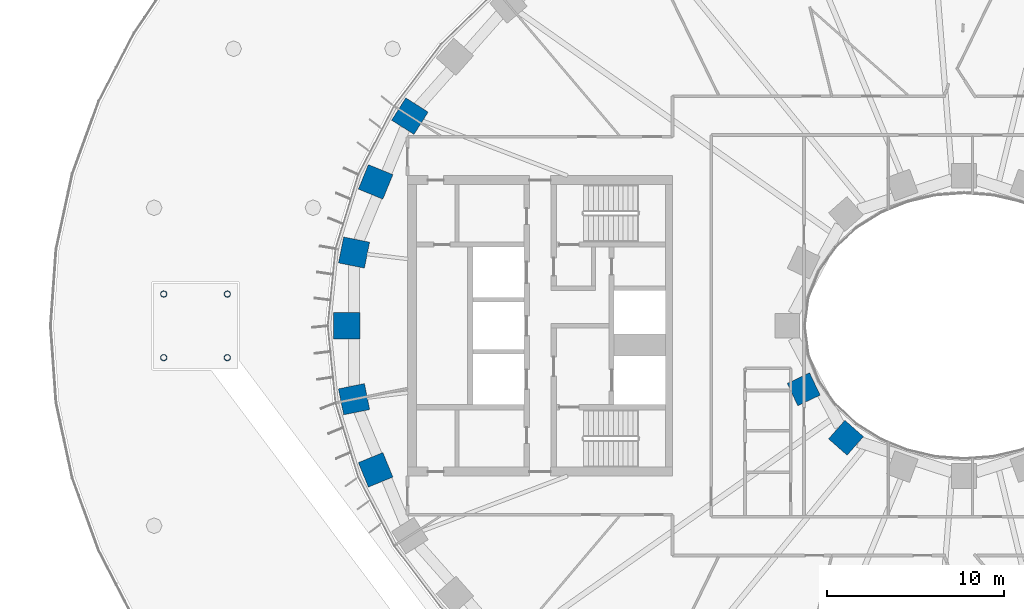
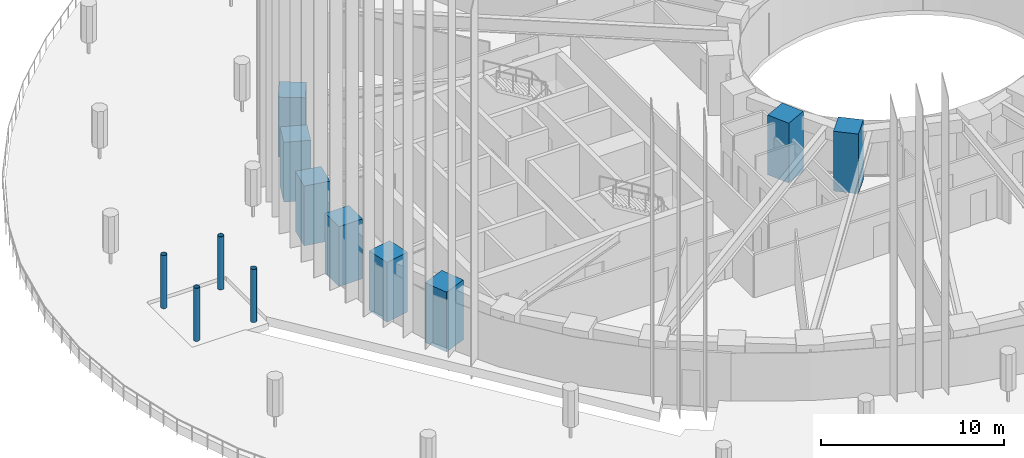
# One storey, part 2 of 30: 12 columns.
"""IFC4 building model written with IfcOpenShell, lengths in metres."""

import ifcopenshell
import ifcopenshell.guid

model = None  # the IFC model being written
_history = None  # IfcOwnerHistory: only IFC2X3 demands one
_inside = {}  # id of a spatial element -> (the spatial element, [elements in it])
_under = {}  # id of a project, library or spatial element -> (it, [spatial elements below it])
_declared = {}  # id of a project -> (the project, [libraries it declares])
_typed = {}  # id of a type object -> (the type object, [elements of that type])
_made_of = {}  # id of a material, layer set ... -> (it, [elements and type objects made of it])


def new_model(schema):
    """Start an empty IFC model of exactly this schema.

    Asked for "IFC4X3", IfcOpenShell would pick the latest addendum, in which some entities
    have other attributes; the version numbers below select the first issue.
    IFC2X3 requires an IfcOwnerHistory on every rooted entity: one is made here for all.
    """
    global model, _history
    if schema == "IFC4X3":
        model = ifcopenshell.file(schema_version=(4, 3, 0, 0))
    else:
        model = ifcopenshell.file(schema=schema)
    _inside.clear()
    _under.clear()
    _declared.clear()
    _typed.clear()
    _made_of.clear()
    _history = None
    if model.schema == "IFC2X3":
        org = make("IfcOrganization", Name="unknown")
        user = make(
            "IfcPersonAndOrganization",
            ThePerson=make("IfcPerson", FamilyName="unknown"),
            TheOrganization=org,
        )
        app = make(
            "IfcApplication",
            ApplicationDeveloper=org,
            Version="unknown",
            ApplicationFullName="unknown",
            ApplicationIdentifier="unknown",
        )
        _history = make(
            "IfcOwnerHistory",
            OwningUser=user,
            OwningApplication=app,
            ChangeAction="ADDED",
            CreationDate=0,
        )
    return model


def make(cls, **values):
    """One entity of the class cls with the attributes given. An attribute that is None is left unset."""
    return model.create_entity(
        cls, **{name: value for name, value in values.items() if value is not None}
    )


def rooted(cls, **values):
    """An entity with a GlobalId (a new one), such as an element, a storey or a relation."""
    return make(cls, GlobalId=ifcopenshell.guid.new(), OwnerHistory=_history, **values)


def si_unit(unit_type, name, prefix=None):
    """IfcSIUnit, for example si_unit("LENGTHUNIT", "METRE", prefix="MILLI")."""
    return make("IfcSIUnit", UnitType=unit_type, Prefix=prefix, Name=name)


def assignment(units):
    """IfcUnitAssignment: the units of a project."""
    return None if units is None else make("IfcUnitAssignment", Units=units)


def point(xyz):
    """IfcCartesianPoint."""
    return None if xyz is None else make("IfcCartesianPoint", Coordinates=xyz)


def direction(xyz):
    """IfcDirection."""
    return None if xyz is None else make("IfcDirection", DirectionRatios=xyz)


def frame(location, z_axis=None, x_axis=None):
    """IfcAxis2Placement3D, a coordinate frame: its origin and axes. An axis left out is left unset."""
    return make(
        "IfcAxis2Placement3D",
        Location=point(location),
        Axis=direction(z_axis),
        RefDirection=direction(x_axis),
    )


def frame_2d(location, x_axis=None):
    """IfcAxis2Placement2D, a coordinate frame in the plane: its origin and x axis."""
    return make(
        "IfcAxis2Placement2D", Location=point(location), RefDirection=direction(x_axis)
    )


def origin():
    """The frame at (0, 0, 0) with its axes left unset."""
    return frame((0.0, 0.0, 0.0))


def origin_2d():
    """The frame at (0, 0) in the plane with its x axis left unset."""
    return frame_2d((0.0, 0.0))


def place(relative_to, where):
    """IfcLocalPlacement: puts the frame where relative to a parent placement (None: the world)."""
    return make(
        "IfcLocalPlacement", PlacementRelTo=relative_to, RelativePlacement=where
    )


def context(
    kind, dimensions, precision=None, world=None, true_north=None, identifier=None
):
    """IfcGeometricRepresentationContext, for example the 3D "Model" context."""
    return make(
        "IfcGeometricRepresentationContext",
        ContextIdentifier=identifier,
        ContextType=kind,
        CoordinateSpaceDimension=dimensions,
        Precision=precision,
        WorldCoordinateSystem=world,
        TrueNorth=true_north,
    )


def subcontext(parent, identifier, kind, view, scale=None):
    """IfcGeometricRepresentationSubContext, for example "Body" below "Model"."""
    return make(
        "IfcGeometricRepresentationSubContext",
        ContextIdentifier=identifier,
        ContextType=kind,
        ParentContext=parent,
        TargetScale=scale,
        TargetView=view,
    )


def project(units=None, contexts=None):
    """IfcProject with its units and contexts."""
    return rooted(
        "IfcProject",
        Name="project",
        RepresentationContexts=contexts,
        UnitsInContext=assignment(units),
    )


def spatial(cls, under=None, at=None, **own):
    """A site, building, storey or space (cls), placed at a placement, below another one or the project."""
    s = rooted(cls, ObjectPlacement=at, **own)
    if under is not None:
        _under.setdefault(under.id(), (under, []))[1].append(s)
    return s


def profile(cls, at=None, kind="AREA", **sizes):
    """A parametric profile (cls). Its sizes go by their IFC names, for example OverallWidth=200.0."""
    return make(cls, ProfileType=kind, Position=at, **sizes)


def rectangle(**sizes):
    """IfcRectangleProfileDef."""
    return profile("IfcRectangleProfileDef", **sizes)


def hollow_circle(**sizes):
    """IfcCircleHollowProfileDef."""
    return profile("IfcCircleHollowProfileDef", **sizes)


def extrude(swept, where, along, depth):
    """IfcExtrudedAreaSolid: the profile swept, set in the frame where, extruded along a direction by depth."""
    return make(
        "IfcExtrudedAreaSolid",
        SweptArea=swept,
        Position=where,
        ExtrudedDirection=direction(along),
        Depth=depth,
    )


def shape(context_of_items, identifier, shape_type, items):
    """IfcShapeRepresentation: the items that make up one representation, for example the "Body"."""
    return make(
        "IfcShapeRepresentation",
        ContextOfItems=context_of_items,
        RepresentationIdentifier=identifier,
        RepresentationType=shape_type,
        Items=items,
    )


def material(Name=None, Category=None):
    """IfcMaterial."""
    return make("IfcMaterial", Name=Name, Category=Category)


def material_profile(
    of_material, cross_section, Name=None, Category=None, Priority=None
):
    """IfcMaterialProfile: a cross section and its material."""
    return make(
        "IfcMaterialProfile",
        Name=Name,
        Material=of_material,
        Profile=cross_section,
        Priority=Priority,
        Category=Category,
    )


def profile_set(profiles, Name=None, composite=None):
    """IfcMaterialProfileSet."""
    return make(
        "IfcMaterialProfileSet",
        Name=Name,
        MaterialProfiles=profiles,
        CompositeProfile=composite,
    )


def made_of(thing, what):
    """Note that an element or type object is made of a material, layer set ...; save() writes the relation."""
    if what is not None:
        _made_of.setdefault(what.id(), (what, []))[1].append(thing)
    return thing


def type_object(cls, material=None, **own):
    """A type object (cls), such as IfcWallType, which elements share."""
    return made_of(rooted(cls, **own), material)


def element(
    cls,
    number,
    at=None,
    inside=None,
    cuts=None,
    type_object=None,
    material=None,
    context=None,
    identifier="Body",
    shape_type=None,
    held_by="IfcProductDefinitionShape",
    body=None,
    shapes=None,
    **own,
):
    """One element of the class cls, such as IfcWall. Its Tag is "e" and its number.

    at: its placement. inside: the storey or other place that contains it. cuts: it is an
    opening in that element (IfcRelVoidsElement). A single representation is given by context,
    identifier, shape_type and body (its items); several are given by shapes. held_by: the class
    of the entity that holds the representations. save() writes the other relations.
    """
    e = rooted(cls, Tag="e%d" % number, ObjectPlacement=at, **own)
    if body is not None:
        shapes = [shape(context, identifier, shape_type, body)]
    if shapes is not None:
        e.Representation = make(held_by, Representations=shapes)
    if inside is not None:
        _inside.setdefault(inside.id(), (inside, []))[1].append(e)
    if cuts is not None:
        rooted(
            "IfcRelVoidsElement", RelatingBuildingElement=cuts, RelatedOpeningElement=e
        )
    if type_object is not None:
        _typed.setdefault(type_object.id(), (type_object, []))[1].append(e)
    return made_of(e, material)


def aggregate(whole, parts):
    """IfcRelAggregates: a whole, such as a stair, and the parts it consists of."""
    return rooted("IfcRelAggregates", RelatingObject=whole, RelatedObjects=parts)


def save(model, path):
    """Write the relations noted so far, then the file.

    IfcRelAggregates (storeys below a building ...), IfcRelContainedInSpatialStructure (elements
    in a storey), IfcRelDefinesByType, IfcRelAssociatesMaterial and IfcRelDeclares: one each for
    every whole, place, type object, material and project.
    """
    for whole, parts in _under.values():
        aggregate(whole, parts)
    for where, things in _inside.values():
        rooted(
            "IfcRelContainedInSpatialStructure",
            RelatedElements=things,
            RelatingStructure=where,
        )
    for kind, things in _typed.values():
        rooted("IfcRelDefinesByType", RelatedObjects=things, RelatingType=kind)
    for what, things in _made_of.values():
        rooted("IfcRelAssociatesMaterial", RelatedObjects=things, RelatingMaterial=what)
    for by, libraries in _declared.values():
        rooted("IfcRelDeclares", RelatingContext=by, RelatedDefinitions=libraries)
    model.write(path)


model = new_model("IFC4")

# Units and contexts
model_context = context("Model", 3, precision=1e-05, world=origin(), true_north=direction((0.0, 1.0)))
body_context = subcontext(model_context, "Body", "Model", "MODEL_VIEW")
ifc_project = project(units=[si_unit("LENGTHUNIT", "METRE"), si_unit("AREAUNIT", "SQUARE_METRE"), si_unit("VOLUMEUNIT", "CUBIC_METRE"), si_unit("PLANEANGLEUNIT", "RADIAN"), si_unit("MASSUNIT", "GRAM", prefix="KILO")], contexts=[model_context])

# Site, building, storey
site_placement = place(None, origin())
site = spatial("IfcSite", under=ifc_project, at=site_placement, CompositionType="ELEMENT")
building_placement = place(site_placement, origin())
building = spatial("IfcBuilding", under=site, at=building_placement, Name="Noorbagh Ring Tower", CompositionType="ELEMENT")
storey_placement = place(building_placement, frame((0.0, 0.0, 30.5)))
storey = spatial("IfcBuildingStorey", under=building, at=storey_placement, Name="L05", CompositionType="ELEMENT", Elevation=30.5)

# Columns
ifc_material_1 = material(Name="Steel S355", Category="steel")
ifc_material_profile_1 = material_profile(ifc_material_1, hollow_circle(Radius=0.177734375, WallThickness=0.01611328125, at=origin_2d()), Name="CHS355.6x16")
ifc_profile_set_1 = profile_set([ifc_material_profile_1], Name="Steel S355")
column_type_1 = type_object("IfcColumnType", Name="GND-CHHATRI-COL", PredefinedType="COLUMN", material=ifc_profile_set_1)
for number, where, z_axis, x_axis, name in (
    (1, (-45.300048828125, -1.800048828125, 0.449951171875), (0.0, 0.0, 1.0), (1.0, 0.0, 0.0), "Chhatri 2 column"),
    (2, (-41.699951171875, -1.800048828125, 0.449951171875), (0.0, 0.0, 1.0), (1.0, 0.0, 0.0), "Chhatri 2 column"),
    (3, (-41.699951171875, 1.800048828125, 0.449951171875), (0.0, 0.0, 1.0), (1.0, 0.0, 0.0), "Chhatri 2 column"),
    (4, (-45.300048828125, 1.800048828125, 0.449951171875), (0.0, 0.0, 1.0), (1.0, 0.0, 0.0), "Chhatri 2 column"),
):
    element("IfcColumn", number, at=place(storey_placement, frame(where, z_axis=z_axis, x_axis=x_axis)), inside=storey, type_object=column_type_1, Name=name, PredefinedType="COLUMN", context=body_context, shape_type="SweptSolid", body=[
        extrude(hollow_circle(Radius=0.177734375, WallThickness=0.01611328125, at=origin_2d()), origin(), (0.0, 0.0, 1.0), 3.550048828125),
    ])
ifc_material_2 = material(Name="Concrete C70/85", Category="concrete")
ifc_material_profile_2 = material_profile(ifc_material_2, rectangle(XDim=1.5, YDim=1.5, at=origin_2d()), Name="RC1500x1500")
ifc_profile_set_2 = profile_set([ifc_material_profile_2], Name="Concrete C70/85")
column_type_2 = type_object("IfcColumnType", Name="STR-COL-RC1500x1500-C70-85", PredefinedType="COLUMN", material=ifc_profile_set_2)
for number, where, z_axis, x_axis, name in (
    (5, (-31.364990234375, 11.87109375, 0.0), (0.0, 0.0, 1.0), (-0.535190403059, -0.844731455833, 0.0), "L05/col/R1-21"),
    (6, (-33.30517578125, 8.1494140625, 0.0), (0.0, 0.0, 1.0), (-0.378989499959, -0.925400971969, 0.0), "L05/col/R1-22"),
    (7, (-34.52685546875, 4.150634765625, 0.0), (0.0, 0.0, 1.0), (-0.19723040178, -0.9803571638, 0.0), "L05/col/R1-23"),
    (8, (-34.944580078125, 0.0, 0.0), (0.0, 0.0, 1.0), (0.0, -1.0, 0.0), "L05/col/R1-24"),
    (9, (-34.52685546875, -4.150634765625, 0.0), (0.0, 0.0, 1.0), (0.19723040178, -0.9803571638, 0.0), "L05/col/R1-25"),
    (10, (-33.30517578125, -8.1494140625, 0.0), (0.0, 0.0, 1.0), (0.378989499959, -0.925400971969, 0.0), "L05/col/R1-26"),
):
    element("IfcColumn", number, at=place(storey_placement, frame(where, z_axis=z_axis, x_axis=x_axis)), inside=storey, type_object=column_type_2, Name=name, PredefinedType="COLUMN", context=body_context, shape_type="SweptSolid", body=[
        extrude(rectangle(XDim=1.5, YDim=1.5, at=origin_2d()), origin(), (0.0, 0.0, 1.0), 4.0),
    ])
ifc_material_3 = material(Name="Concrete C70/85", Category="concrete")
ifc_material_profile_3 = material_profile(ifc_material_3, rectangle(XDim=1.39990234375, YDim=1.39990234375, at=origin_2d()), Name="RC1400x1400")
ifc_profile_set_3 = profile_set([ifc_material_profile_3], Name="Concrete C70/85")
column_type_3 = type_object("IfcColumnType", Name="STR-ICOL-RC1400x1400-C70-85", PredefinedType="COLUMN", material=ifc_profile_set_3)
for number, where, z_axis, x_axis, name in (
    (11, (-9.07568359375, -3.58837890625, 0.0), (0.0, 0.0, 1.0), (0.428666979171, -0.903462573087, 0.0), "L05/col/IR2-W19"),
    (12, (-6.68212890625, -6.333740234375, 0.0), (0.0, 0.0, 1.0), (0.75102249095, -0.660276622399, 0.0), "L05/col/IR2-W21"),
):
    element("IfcColumn", number, at=place(storey_placement, frame(where, z_axis=z_axis, x_axis=x_axis)), inside=storey, type_object=column_type_3, Name=name, PredefinedType="COLUMN", context=body_context, shape_type="SweptSolid", body=[
        extrude(rectangle(XDim=1.39990234375, YDim=1.39990234375, at=origin_2d()), origin(), (0.0, 0.0, 1.0), 4.0),
    ])

save(model, "model.ifc")
